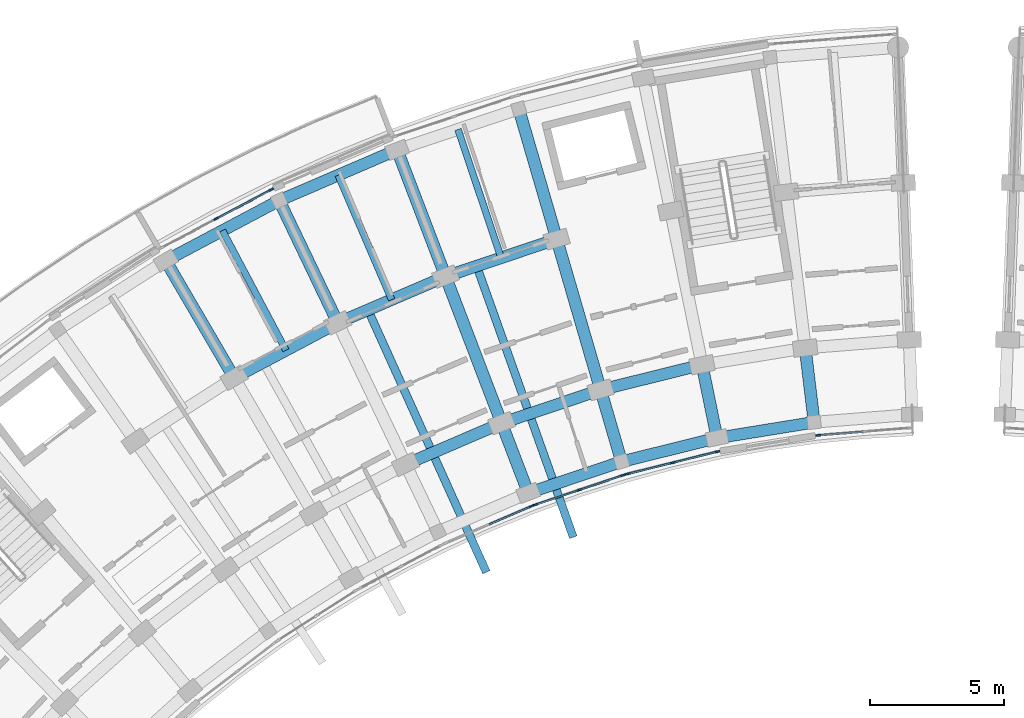
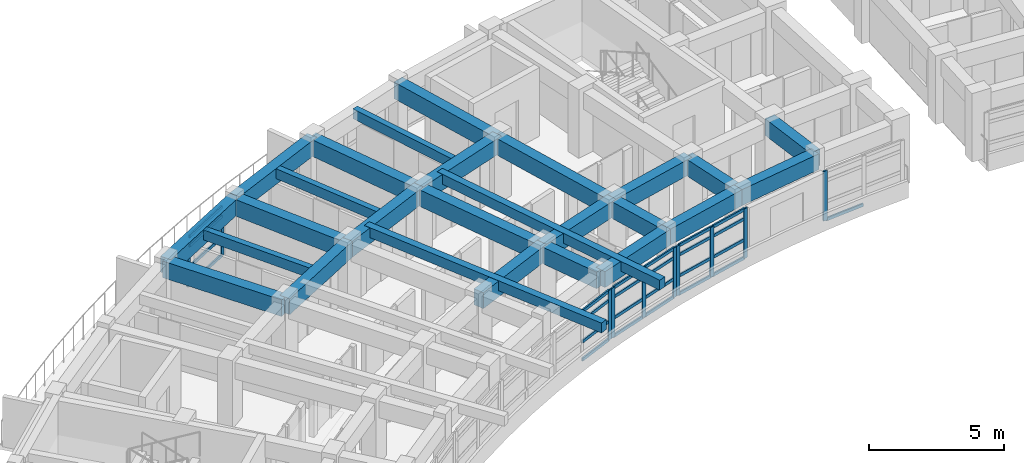
# One storey, part 16 of 70: 35 members, 26 beams, 5 elements without a shape of their own.
"""IFC4 building model written with IfcOpenShell, lengths in metres."""

from ifc_helpers import new_model, si_unit, direction, frame, origin, origin_2d, place, context, subcontext, project, spatial, rectangle, extrude, material, material_profile, profile_set, type_object, element, aggregate, save


model = new_model("IFC4")

# Units and contexts
model_context = context("Model", 3, precision=1e-05, world=origin(), true_north=direction((0.0, 1.0)))
body_context = subcontext(model_context, "Body", "Model", "MODEL_VIEW")
ifc_project = project(units=[si_unit("LENGTHUNIT", "METRE"), si_unit("AREAUNIT", "SQUARE_METRE"), si_unit("VOLUMEUNIT", "CUBIC_METRE"), si_unit("PLANEANGLEUNIT", "RADIAN"), si_unit("MASSUNIT", "GRAM", prefix="KILO")], contexts=[model_context])

# Site, building, storey
site_placement = place(None, origin())
site = spatial("IfcSite", under=ifc_project, at=site_placement, CompositionType="ELEMENT")
building_placement = place(site_placement, origin())
building = spatial("IfcBuilding", under=site, at=building_placement, Name="Zimvara Arc Housing Community", CompositionType="ELEMENT")
storey_placement = place(building_placement, frame((0.0, 0.0, 8.10009765625)))
storey = spatial("IfcBuildingStorey", under=building, at=storey_placement, Name="L02", CompositionType="ELEMENT", Elevation=8.10009765625)

# Beams
ifc_material_1 = material(Name="Concrete C40/50", Category="concrete")
ifc_material_profile_1 = material_profile(ifc_material_1, rectangle(XDim=0.25, YDim=0.449951171875, at=origin_2d()), Name="RC 250x450")
ifc_profile_set_1 = profile_set([ifc_material_profile_1], Name="Concrete C40/50")
beam_type_1 = type_object("IfcBeamType", Name="BM-RC-250x450", PredefinedType="JOIST", material=ifc_profile_set_1)
beam_1_placement = place(storey_placement, frame((19.813232421875, 91.9892578125, 2.65478515625), z_axis=(-0.46853732736, 0.883443701019, 0.0), x_axis=(-0.883443701019, -0.46853732736, 0.0)))
element("IfcBeam", 1, at=beam_1_placement, inside=storey, type_object=beam_type_1, Name="bm:blkA:L02:joist:b4", PredefinedType="JOIST", context=body_context, shape_type="SweptSolid", body=[
    extrude(rectangle(XDim=0.25, YDim=0.449951171875, at=origin_2d()), origin(), (0.0, 0.0, 1.0), 5.07568359375),
])
beam_2_placement = place(storey_placement, frame((23.77197265625, 93.885986328125, 2.65478515625), z_axis=(-0.394929109608, 0.918711596958, 0.0), x_axis=(-0.918711596958, -0.394929109608, 0.0)))
element("IfcBeam", 2, at=beam_2_placement, inside=storey, type_object=beam_type_1, Name="bm:blkA:L02:joist:b5", PredefinedType="JOIST", context=body_context, shape_type="SweptSolid", body=[
    extrude(rectangle(XDim=0.25, YDim=0.449951171875, at=origin_2d()), origin(), (0.0, 0.0, 1.0), 5.075927734375),
])
beam_3_placement = place(storey_placement, frame((27.8720703125, 95.453369140625, 2.65478515625), z_axis=(-0.318607669836, 0.947886677152, 0.0), x_axis=(-0.947886677152, -0.318607669836, 0.0)))
element("IfcBeam", 3, at=beam_3_placement, inside=storey, type_object=beam_type_1, Name="bm:blkA:L02:joist:b6", PredefinedType="JOIST", context=body_context, shape_type="SweptSolid", body=[
    extrude(rectangle(XDim=0.25, YDim=0.449951171875, at=origin_2d()), origin(), (0.0, 0.0, 1.0), 5.07568359375),
])
ifc_material_2 = material(Name="Concrete C40/50", Category="concrete")
ifc_material_profile_2 = material_profile(ifc_material_2, rectangle(XDim=0.300048828125, YDim=0.449951171875, at=origin_2d()), Name="RC 300x450")
ifc_profile_set_2 = profile_set([ifc_material_profile_2], Name="Concrete C40/50")
beam_type_2 = type_object("IfcBeamType", Name="BM-RC-300x450", PredefinedType="JOIST", material=ifc_profile_set_2)
beam_4_placement = place(storey_placement, frame((22.869384765625, 93.53759765625, 2.664794921875), z_axis=(0.411355165121, -0.911475138513, 0.0), x_axis=(0.911475138513, 0.411355165121, 0.0)))
element("IfcBeam", 4, at=beam_4_placement, inside=storey, type_object=beam_type_2, Name="bm:blkA:L02:cant_in:b5", PredefinedType="JOIST", context=body_context, shape_type="SweptSolid", body=[
    extrude(rectangle(XDim=0.300048828125, YDim=0.449951171875, at=origin_2d()), origin(), (0.0, 0.0, 1.0), 10.820068359375),
])
beam_5_placement = place(storey_placement, frame((26.9443359375, 95.1796875, 2.664794921875), z_axis=(0.335595863833, -0.942006059523, 0.0), x_axis=(0.942006059523, 0.335595863833, 0.0)))
element("IfcBeam", 5, at=beam_5_placement, inside=storey, type_object=beam_type_2, Name="bm:blkA:L02:cant_in:b6", PredefinedType="JOIST", context=body_context, shape_type="SweptSolid", body=[
    extrude(rectangle(XDim=0.300048828125, YDim=0.449951171875, at=origin_2d()), origin(), (0.0, 0.0, 1.0), 10.81982421875),
])
ifc_material_3 = material(Name="Concrete C40/50", Category="concrete")
ifc_material_profile_3 = material_profile(ifc_material_3, rectangle(XDim=0.43994140625, YDim=0.719970703125, at=origin_2d()), Name="RC 440x720")
ifc_profile_set_3 = profile_set([ifc_material_profile_3], Name="Concrete C40/50")
beam_type_3 = type_object("IfcBeamType", Name="BM-RC-440x720", PredefinedType="BEAM", material=ifc_profile_set_3)
beam_6_placement = place(storey_placement, frame((28.88916015625, 86.645751953125, 2.52001953125), z_axis=(0.94789181932, 0.31859237101, 0.0), x_axis=(-0.31859237101, 0.94789181932, 0.0)))
element("IfcBeam", 6, at=beam_6_placement, inside=storey, type_object=beam_type_3, Name="bm:blkA:L02:chord:r0:b6", PredefinedType="BEAM", context=body_context, shape_type="SweptSolid", body=[
    extrude(rectangle(XDim=0.43994140625, YDim=0.719970703125, at=origin_2d()), origin(), (0.0, 0.0, 1.0), 3.684326171875),
])
beam_7_placement = place(storey_placement, frame((32.381591796875, 87.819580078125, 2.52001953125), z_axis=(0.970708886215, 0.240258731837, 0.0), x_axis=(-0.240258731837, 0.970708886215, 0.0)))
element("IfcBeam", 7, at=beam_7_placement, inside=storey, type_object=beam_type_3, Name="bm:blkA:L02:chord:r0:b7", PredefinedType="BEAM", context=body_context, shape_type="SweptSolid", body=[
    extrude(rectangle(XDim=0.43994140625, YDim=0.719970703125, at=origin_2d()), origin(), (0.0, 0.0, 1.0), 3.6845703125),
])
beam_8_placement = place(storey_placement, frame((35.958251953125, 88.704833984375, 2.52001953125), z_axis=(0.987079996944, 0.160228211104, 0.0), x_axis=(-0.160228211104, 0.987079996944, 0.0)))
element("IfcBeam", 8, at=beam_8_placement, inside=storey, type_object=beam_type_3, Name="bm:blkA:L02:chord:r0:b8", PredefinedType="BEAM", context=body_context, shape_type="SweptSolid", body=[
    extrude(rectangle(XDim=0.43994140625, YDim=0.719970703125, at=origin_2d()), origin(), (0.0, 0.0, 1.0), 3.684326171875),
])
for number, where, z_axis, x_axis, name in (
    (9, (24.29443359375, 87.7158203125, 2.52001953125), (0.91873144242, 0.394882940514, 0.0), (-0.394882940514, 0.91873144242, 0.0), "bm:blkA:L02:chord:r1:b5"),
    (10, (27.889404296875, 89.260986328125, 2.52001953125), (0.947881689069, 0.31862250945, 0.0), (-0.31862250945, 0.947881689069, 0.0), "bm:blkA:L02:chord:r1:b6"),
    (11, (31.5986328125, 90.5078125, 2.52001953125), (0.970708671682, 0.240259598602, 0.0), (-0.240259598602, 0.970708671682, 0.0), "bm:blkA:L02:chord:r1:b7"),
):
    element("IfcBeam", number, at=place(storey_placement, frame(where, z_axis=z_axis, x_axis=x_axis)), inside=storey, type_object=beam_type_3, Name=name, PredefinedType="BEAM", context=body_context, shape_type="SweptSolid", body=[
        extrude(rectangle(XDim=0.43994140625, YDim=0.719970703125, at=origin_2d()), origin(), (0.0, 0.0, 1.0), 3.9130859375),
    ])
for number, where, z_axis, x_axis, name in (
    (12, (17.87255859375, 90.960205078125, 2.52001953125), (0.883456526058, 0.468513144496, 0.0), (-0.468513144496, 0.883456526058, 0.0), "bm:blkA:L02:chord:r2:b4"),
    (13, (21.75390625, 93.0185546875, 2.52001953125), (0.918724840088, 0.394898301093, 0.0), (-0.394898301093, 0.918724840088, 0.0), "bm:blkA:L02:chord:r2:b5"),
):
    element("IfcBeam", number, at=place(storey_placement, frame(where, z_axis=z_axis, x_axis=x_axis)), inside=storey, type_object=beam_type_3, Name=name, PredefinedType="BEAM", context=body_context, shape_type="SweptSolid", body=[
        extrude(rectangle(XDim=0.43994140625, YDim=0.719970703125, at=origin_2d()), origin(), (0.0, 0.0, 1.0), 4.393310546875),
    ])
beam_9_placement = place(storey_placement, frame((25.7900390625, 94.75341796875, 2.52001953125), z_axis=(0.947868796036, 0.318660862832, 0.0), x_axis=(-0.318660862832, 0.947868796036, 0.0)))
element("IfcBeam", 14, at=beam_9_placement, inside=storey, type_object=beam_type_3, Name="bm:blkA:L02:chord:r2:b6", PredefinedType="BEAM", context=body_context, shape_type="SweptSolid", body=[
    extrude(rectangle(XDim=0.43994140625, YDim=0.719970703125, at=origin_2d()), origin(), (0.0, 0.0, 1.0), 4.39306640625),
])
beam_10_placement = place(storey_placement, frame((15.311279296875, 95.34716796875, 2.52001953125), z_axis=(0.883445542299, 0.468533855546, 0.0), x_axis=(-0.468533855546, 0.883445542299, 0.0)))
element("IfcBeam", 15, at=beam_10_placement, inside=storey, type_object=beam_type_3, Name="bm:blkA:L02:chord:r3:b4", PredefinedType="BEAM", context=body_context, shape_type="SweptSolid", body=[
    extrude(rectangle(XDim=0.43994140625, YDim=0.719970703125, at=origin_2d()), origin(), (0.0, 0.0, 1.0), 4.807861328125),
])
beam_11_placement = place(storey_placement, frame((19.558837890625, 97.599853515625, 2.52001953125), z_axis=(0.918724276228, 0.394899612901, 0.0), x_axis=(-0.394899612901, 0.918724276228, 0.0)))
element("IfcBeam", 16, at=beam_11_placement, inside=storey, type_object=beam_type_3, Name="bm:blkA:L02:chord:r3:b5", PredefinedType="BEAM", context=body_context, shape_type="SweptSolid", body=[
    extrude(rectangle(XDim=0.43994140625, YDim=0.719970703125, at=origin_2d()), origin(), (0.0, 0.0, 1.0), 4.80810546875),
])
ifc_material_4 = material(Name="Concrete C40/50", Category="concrete")
ifc_material_profile_4 = material_profile(ifc_material_4, rectangle(XDim=0.449951171875, YDim=0.75, at=origin_2d()), Name="RC 450x750")
ifc_profile_set_4 = profile_set([ifc_material_profile_4], Name="Concrete C40/50")
beam_type_4 = type_object("IfcBeamType", Name="BM-RC-450x750", PredefinedType="BEAM", material=ifc_profile_set_4)
beam_12_placement = place(storey_placement, frame((17.87255859375, 90.960205078125, 2.5048828125), z_axis=(-0.504196701544, 0.863588840915, 0.0), x_axis=(-0.863588840915, -0.504196701544, 0.0)))
element("IfcBeam", 17, at=beam_12_placement, inside=storey, type_object=beam_type_4, Name="bm:blkA:L02:rad:b4:r23", PredefinedType="BEAM", context=body_context, shape_type="SweptSolid", body=[
    extrude(rectangle(XDim=0.449951171875, YDim=0.75, at=origin_2d()), origin(), (0.0, 0.0, 1.0), 5.079833984375),
])
beam_13_placement = place(storey_placement, frame((21.75390625, 93.0185546875, 2.5048828125), z_axis=(-0.432098194978, 0.901826563091, 0.0), x_axis=(-0.901826563091, -0.432098194978, 0.0)))
element("IfcBeam", 18, at=beam_13_placement, inside=storey, type_object=beam_type_4, Name="bm:blkA:L02:rad:b5:r23", PredefinedType="BEAM", context=body_context, shape_type="SweptSolid", body=[
    extrude(rectangle(XDim=0.449951171875, YDim=0.75, at=origin_2d()), origin(), (0.0, 0.0, 1.0), 5.080078125),
])
beam_14_placement = place(storey_placement, frame((28.88916015625, 86.645751953125, 2.5048828125), z_axis=(-0.357079289134, 0.934074076972, 0.0), x_axis=(-0.934074076972, -0.357079289134, 0.0)))
element("IfcBeam", 19, at=beam_14_placement, inside=storey, type_object=beam_type_4, Name="bm:blkA:L02:rad:b6:r01", PredefinedType="BEAM", context=body_context, shape_type="SweptSolid", body=[
    extrude(rectangle(XDim=0.449951171875, YDim=0.75, at=origin_2d()), origin(), (0.0, 0.0, 1.0), 2.7998046875),
])
beam_15_placement = place(storey_placement, frame((27.889404296875, 89.260986328125, 2.5048828125), z_axis=(-0.357036247742, 0.934090529766, 0.0), x_axis=(-0.934090529766, -0.357036247742, 0.0)))
element("IfcBeam", 20, at=beam_15_placement, inside=storey, type_object=beam_type_4, Name="bm:blkA:L02:rad:b6:r12", PredefinedType="BEAM", context=body_context, shape_type="SweptSolid", body=[
    extrude(rectangle(XDim=0.449951171875, YDim=0.75, at=origin_2d()), origin(), (0.0, 0.0, 1.0), 5.8798828125),
])
beam_16_placement = place(storey_placement, frame((25.7900390625, 94.75341796875, 2.5048828125), z_axis=(-0.357078271386, 0.934074466038, 0.0), x_axis=(-0.934074466038, -0.357078271386, 0.0)))
element("IfcBeam", 21, at=beam_16_placement, inside=storey, type_object=beam_type_4, Name="bm:blkA:L02:rad:b6:r23", PredefinedType="BEAM", context=body_context, shape_type="SweptSolid", body=[
    extrude(rectangle(XDim=0.449951171875, YDim=0.75, at=origin_2d()), origin(), (0.0, 0.0, 1.0), 5.080078125),
])
beam_17_placement = place(storey_placement, frame((32.381591796875, 87.819580078125, 2.5048828125), z_axis=(-0.279635015525, 0.960106378529, 0.0), x_axis=(-0.960106378529, -0.279635015525, 0.0)))
element("IfcBeam", 22, at=beam_17_placement, inside=storey, type_object=beam_type_4, Name="bm:blkA:L02:rad:b7:r01", PredefinedType="BEAM", context=body_context, shape_type="SweptSolid", body=[
    extrude(rectangle(XDim=0.449951171875, YDim=0.75, at=origin_2d()), origin(), (0.0, 0.0, 1.0), 2.800048828125),
])
beam_18_placement = place(storey_placement, frame((31.5986328125, 90.5078125, 2.5048828125), z_axis=(-0.27967473749, 0.960094808449, 0.0), x_axis=(-0.960094808449, -0.27967473749, 0.0)))
element("IfcBeam", 23, at=beam_18_placement, inside=storey, type_object=beam_type_4, Name="bm:blkA:L02:rad:b7:r12", PredefinedType="BEAM", context=body_context, shape_type="SweptSolid", body=[
    extrude(rectangle(XDim=0.449951171875, YDim=0.75, at=origin_2d()), origin(), (0.0, 0.0, 1.0), 5.880126953125),
])
beam_19_placement = place(storey_placement, frame((29.9541015625, 96.1533203125, 2.5048828125), z_axis=(-0.279662254096, 0.960098444762, 0.0), x_axis=(-0.960098444762, -0.279662254096, 0.0)))
element("IfcBeam", 24, at=beam_19_placement, inside=storey, type_object=beam_type_4, Name="bm:blkA:L02:rad:b7:r23", PredefinedType="BEAM", context=body_context, shape_type="SweptSolid", body=[
    extrude(rectangle(XDim=0.449951171875, YDim=0.75, at=origin_2d()), origin(), (0.0, 0.0, 1.0), 5.079833984375),
])
beam_20_placement = place(storey_placement, frame((35.958251953125, 88.704833984375, 2.5048828125), z_axis=(-0.20037341071, 0.979719600845, 0.0), x_axis=(-0.979719600845, -0.20037341071, 0.0)))
element("IfcBeam", 25, at=beam_20_placement, inside=storey, type_object=beam_type_4, Name="bm:blkA:L02:rad:b8:r01", PredefinedType="BEAM", context=body_context, shape_type="SweptSolid", body=[
    extrude(rectangle(XDim=0.449951171875, YDim=0.75, at=origin_2d()), origin(), (0.0, 0.0, 1.0), 2.800048828125),
])
beam_21_placement = place(storey_placement, frame((39.594970703125, 89.295166015625, 2.5048828125), z_axis=(-0.119719398078, 0.992807768767, 0.0), x_axis=(-0.992807768767, -0.119719398078, 0.0)))
element("IfcBeam", 26, at=beam_21_placement, inside=storey, type_object=beam_type_4, Name="bm:blkA:L02:rad:b9:r01", PredefinedType="BEAM", context=body_context, shape_type="SweptSolid", body=[
    extrude(rectangle(XDim=0.449951171875, YDim=0.75, at=origin_2d()), origin(), (0.0, 0.0, 1.0), 2.7998046875),
])

# Curtain wall, members
ifc_material_5 = material(Name="Anodised Aluminium AW-6063", Category="aluminium")
curtain_wall_type_1 = type_object("IfcCurtainWallType", Name="CW-SYS-06", PredefinedType="USERDEFINED", material=ifc_material_5)
curtain_wall_1_placement = place(storey_placement, origin())
curtain_wall_1 = element("IfcCurtainWall", 27, at=curtain_wall_1_placement, inside=storey, type_object=curtain_wall_type_1, Name="cw:blkA:L02:out:b4", ObjectType="CURTAIN WALL", PredefinedType="USERDEFINED")
ifc_material_6 = material(Name="Anodised Aluminium AW-6063", Category="aluminium")
ifc_material_profile_5 = material_profile(ifc_material_6, rectangle(XDim=0.06494140625, YDim=0.179931640625, at=origin_2d()), Name="ALU 65x180")
ifc_profile_set_5 = profile_set([ifc_material_profile_5], Name="Anodised Aluminium AW-6063")
member_type_1 = type_object("IfcMemberType", Name="CWM-65x150", PredefinedType="MULLION", material=ifc_profile_set_5)
member_1_placement = place(storey_placement, frame((17.200927734375, 96.914794921875, 0.0), z_axis=(0.0, 0.0, 1.0), x_axis=(-0.468546917761, 0.883438614651, 0.0)))
member_1 = element("IfcMember", 28, at=member_1_placement, type_object=member_type_1, Name="CW06 mullion 2", PredefinedType="MULLION", context=body_context, shape_type="SweptSolid", body=[
    extrude(rectangle(XDim=0.06494140625, YDim=0.179931640625, at=origin_2d()), origin(), (0.0, 0.0, 1.0), 2.25),
])
member_2_placement = place(storey_placement, frame((19.260986328125, 98.007568359375, 0.0), z_axis=(0.0, 0.0, 1.0), x_axis=(-0.468546917761, 0.883438614651, 0.0)))
member_2 = element("IfcMember", 29, at=member_2_placement, type_object=member_type_1, Name="CW06 mullion 3", PredefinedType="MULLION", context=body_context, shape_type="SweptSolid", body=[
    extrude(rectangle(XDim=0.06494140625, YDim=0.179931640625, at=origin_2d()), origin(), (0.0, 0.0, 1.0), 2.25),
])

# Curtain wall, member
ifc_material_7 = material(Name="Anodised Aluminium AW-6063", Category="aluminium")
curtain_wall_type_2 = type_object("IfcCurtainWallType", Name="CW-SYS-08", PredefinedType="USERDEFINED", material=ifc_material_7)
curtain_wall_2_placement = place(storey_placement, origin())
curtain_wall_2 = element("IfcCurtainWall", 30, at=curtain_wall_2_placement, inside=storey, type_object=curtain_wall_type_2, Name="cw:blkA:L02:in:b5", ObjectType="CURTAIN WALL", PredefinedType="USERDEFINED")
member_3_placement = place(storey_placement, frame((28.98291015625, 86.14208984375, 0.0), z_axis=(0.0, 0.0, 1.0), x_axis=(-0.394904493375, 0.918722178415, 0.0)))
member_3 = element("IfcMember", 31, at=member_3_placement, type_object=member_type_1, Name="CW08 mullion 3", PredefinedType="MULLION", context=body_context, shape_type="SweptSolid", body=[
    extrude(rectangle(XDim=0.06494140625, YDim=0.179931640625, at=origin_2d()), origin(), (0.0, 0.0, 1.0), 2.25),
])

# Curtain wall, members
ifc_material_8 = material(Name="Anodised Aluminium AW-6063", Category="aluminium")
curtain_wall_type_3 = type_object("IfcCurtainWallType", Name="CW-SYS-02", PredefinedType="USERDEFINED", material=ifc_material_8)
curtain_wall_3_placement = place(storey_placement, origin())
curtain_wall_3 = element("IfcCurtainWall", 32, at=curtain_wall_3_placement, inside=storey, type_object=curtain_wall_type_3, Name="cw:blkA:L02:in:b6", ObjectType="CURTAIN WALL", PredefinedType="USERDEFINED")
member_4_placement = place(storey_placement, frame((29.155517578125, 86.2080078125, 0.0), z_axis=(0.0, 0.0, 1.0), x_axis=(-0.318630249383, 0.94787908732, 0.0)))
member_4 = element("IfcMember", 33, at=member_4_placement, type_object=member_type_1, Name="CW02 mullion 1", PredefinedType="MULLION", context=body_context, shape_type="SweptSolid", body=[
    extrude(rectangle(XDim=0.06494140625, YDim=0.179931640625, at=origin_2d()), origin(), (0.0, 0.0, 1.0), 2.25),
])
member_5_placement = place(storey_placement, frame((30.794677734375, 86.759033203125, 0.0), z_axis=(0.0, 0.0, 1.0), x_axis=(-0.318630249383, 0.94787908732, 0.0)))
member_5 = element("IfcMember", 34, at=member_5_placement, type_object=member_type_1, Name="CW02 mullion 2", PredefinedType="MULLION", context=body_context, shape_type="SweptSolid", body=[
    extrude(rectangle(XDim=0.06494140625, YDim=0.179931640625, at=origin_2d()), origin(), (0.0, 0.0, 1.0), 2.25),
])
member_6_placement = place(storey_placement, frame((32.433837890625, 87.31005859375, 0.0), z_axis=(0.0, 0.0, 1.0), x_axis=(-0.318630249383, 0.94787908732, 0.0)))
member_6 = element("IfcMember", 35, at=member_6_placement, type_object=member_type_1, Name="CW02 mullion 3", PredefinedType="MULLION", context=body_context, shape_type="SweptSolid", body=[
    extrude(rectangle(XDim=0.06494140625, YDim=0.179931640625, at=origin_2d()), origin(), (0.0, 0.0, 1.0), 2.25),
])

ifc_material_9 = material(Name="Anodised Aluminium AW-6063", Category="aluminium")
curtain_wall_type_4 = type_object("IfcCurtainWallType", Name="CW-SYS-04", PredefinedType="USERDEFINED", material=ifc_material_9)
curtain_wall_4_placement = place(storey_placement, origin())
curtain_wall_4 = element("IfcCurtainWall", 36, at=curtain_wall_4_placement, inside=storey, type_object=curtain_wall_type_4, Name="cw:blkA:L02:in:b7", ObjectType="CURTAIN WALL", PredefinedType="USERDEFINED")
member_7_placement = place(storey_placement, frame((32.611328125, 87.36181640625, 0.0), z_axis=(0.0, 0.0, 1.0), x_axis=(-0.240227815706, 0.970716537698, 0.0)))
member_7 = element("IfcMember", 37, at=member_7_placement, type_object=member_type_1, Name="CW04 mullion 1", PredefinedType="MULLION", context=body_context, shape_type="SweptSolid", body=[
    extrude(rectangle(XDim=0.06494140625, YDim=0.179931640625, at=origin_2d()), origin(), (0.0, 0.0, 1.0), 2.25),
])
member_8_placement = place(storey_placement, frame((34.2900390625, 87.77734375, 0.0), z_axis=(0.0, 0.0, 1.0), x_axis=(-0.240227815706, 0.970716537698, 0.0)))
member_8 = element("IfcMember", 38, at=member_8_placement, type_object=member_type_1, Name="CW04 mullion 2", PredefinedType="MULLION", context=body_context, shape_type="SweptSolid", body=[
    extrude(rectangle(XDim=0.06494140625, YDim=0.179931640625, at=origin_2d()), origin(), (0.0, 0.0, 1.0), 2.25),
])
member_9_placement = place(storey_placement, frame((35.96875, 88.192626953125, 0.0), z_axis=(0.0, 0.0, 1.0), x_axis=(-0.240227815706, 0.970716537698, 0.0)))
member_9 = element("IfcMember", 39, at=member_9_placement, type_object=member_type_1, Name="CW04 mullion 3", PredefinedType="MULLION", context=body_context, shape_type="SweptSolid", body=[
    extrude(rectangle(XDim=0.06494140625, YDim=0.179931640625, at=origin_2d()), origin(), (0.0, 0.0, 1.0), 2.25),
])

# Curtain wall, member
curtain_wall_5_placement = place(storey_placement, origin())
curtain_wall_5 = element("IfcCurtainWall", 40, at=curtain_wall_5_placement, inside=storey, type_object=curtain_wall_type_1, Name="cw:blkA:L02:in:b9", ObjectType="CURTAIN WALL", PredefinedType="USERDEFINED")
member_10_placement = place(storey_placement, frame((39.7470703125, 88.805908203125, 0.0), z_axis=(0.0, 0.0, 1.0), x_axis=(-0.079154709897, 0.996862343506, 0.0)))
member_10 = element("IfcMember", 41, at=member_10_placement, type_object=member_type_1, Name="CW06 mullion 1", PredefinedType="MULLION", context=body_context, shape_type="SweptSolid", body=[
    extrude(rectangle(XDim=0.06494140625, YDim=0.179931640625, at=origin_2d()), origin(), (0.0, 0.0, 1.0), 2.25),
])

# Member
ifc_material_10 = material(Name="Anodised Aluminium AW-6063", Category="aluminium")
ifc_material_profile_6 = material_profile(ifc_material_10, rectangle(XDim=0.06494140625, YDim=0.139892578125, at=origin_2d()), Name="ALU 65x140")
ifc_profile_set_6 = profile_set([ifc_material_profile_6], Name="Anodised Aluminium AW-6063")
member_type_2 = type_object("IfcMemberType", Name="CWT-65x120", PredefinedType="USERDEFINED", material=ifc_profile_set_6)
member_11_placement = place(storey_placement, frame((17.2294921875, 96.93017578125, 0.032470703125), z_axis=(0.883489114766, 0.468451688107, 0.0), x_axis=(-0.468451688107, 0.883489114766, 0.0)))
member_11 = element("IfcMember", 42, at=member_11_placement, type_object=member_type_2, Name="CW06 transom 2.1", ObjectType="TRANSOM", PredefinedType="USERDEFINED", context=body_context, shape_type="SweptSolid", body=[
    extrude(rectangle(XDim=0.06494140625, YDim=0.139892578125, at=origin_2d()), origin(), (0.0, 0.0, 1.0), 2.26708984375),
])

member_12_placement = place(storey_placement, frame((17.2294921875, 96.93017578125, 0.849853515625), z_axis=(0.883489114766, 0.468451688107, 0.0), x_axis=(-0.468451688107, 0.883489114766, 0.0)))
member_12 = element("IfcMember", 43, at=member_12_placement, type_object=member_type_2, Name="CW06 transom 2.2", ObjectType="TRANSOM", PredefinedType="USERDEFINED", context=body_context, shape_type="SweptSolid", body=[
    extrude(rectangle(XDim=0.06494140625, YDim=0.139892578125, at=origin_2d()), origin(), (0.0, 0.0, 1.0), 2.26708984375),
])

member_13_placement = place(storey_placement, frame((17.2294921875, 96.93017578125, 1.7998046875), z_axis=(0.883489114766, 0.468451688107, 0.0), x_axis=(-0.468451688107, 0.883489114766, 0.0)))
member_13 = element("IfcMember", 44, at=member_13_placement, type_object=member_type_2, Name="CW06 transom 2.3", ObjectType="TRANSOM", PredefinedType="USERDEFINED", context=body_context, shape_type="SweptSolid", body=[
    extrude(rectangle(XDim=0.06494140625, YDim=0.139892578125, at=origin_2d()), origin(), (0.0, 0.0, 1.0), 2.26708984375),
])

member_14_placement = place(storey_placement, frame((17.2294921875, 96.93017578125, 2.21728515625), z_axis=(0.883489114766, 0.468451688107, 0.0), x_axis=(-0.468451688107, 0.883489114766, 0.0)))
member_14 = element("IfcMember", 45, at=member_14_placement, type_object=member_type_2, Name="CW06 transom 2.4", ObjectType="TRANSOM", PredefinedType="USERDEFINED", context=body_context, shape_type="SweptSolid", body=[
    extrude(rectangle(XDim=0.06494140625, YDim=0.139892578125, at=origin_2d()), origin(), (0.0, 0.0, 1.0), 2.26708984375),
])

aggregate(curtain_wall_1, [member_1, member_2, member_11, member_12, member_13, member_14])

member_15_placement = place(storey_placement, frame((27.423828125, 85.471923828125, 0.032470703125), z_axis=(0.918673978315, 0.395016609229, 0.0), x_axis=(-0.395016609229, 0.918673978315, 0.0)))
member_15 = element("IfcMember", 46, at=member_15_placement, type_object=member_type_2, Name="CW08 transom 2.1", ObjectType="TRANSOM", PredefinedType="USERDEFINED", context=body_context, shape_type="SweptSolid", body=[
    extrude(rectangle(XDim=0.06494140625, YDim=0.139892578125, at=origin_2d()), origin(), (0.0, 0.0, 1.0), 1.664306640625),
])

member_16_placement = place(storey_placement, frame((27.423828125, 85.471923828125, 0.849853515625), z_axis=(0.918673978315, 0.395016609229, 0.0), x_axis=(-0.395016609229, 0.918673978315, 0.0)))
member_16 = element("IfcMember", 47, at=member_16_placement, type_object=member_type_2, Name="CW08 transom 2.2", ObjectType="TRANSOM", PredefinedType="USERDEFINED", context=body_context, shape_type="SweptSolid", body=[
    extrude(rectangle(XDim=0.06494140625, YDim=0.139892578125, at=origin_2d()), origin(), (0.0, 0.0, 1.0), 1.664306640625),
])

member_17_placement = place(storey_placement, frame((27.423828125, 85.471923828125, 1.7998046875), z_axis=(0.918673978315, 0.395016609229, 0.0), x_axis=(-0.395016609229, 0.918673978315, 0.0)))
member_17 = element("IfcMember", 48, at=member_17_placement, type_object=member_type_2, Name="CW08 transom 2.3", ObjectType="TRANSOM", PredefinedType="USERDEFINED", context=body_context, shape_type="SweptSolid", body=[
    extrude(rectangle(XDim=0.06494140625, YDim=0.139892578125, at=origin_2d()), origin(), (0.0, 0.0, 1.0), 1.664306640625),
])

member_18_placement = place(storey_placement, frame((27.423828125, 85.471923828125, 2.21728515625), z_axis=(0.918673978315, 0.395016609229, 0.0), x_axis=(-0.395016609229, 0.918673978315, 0.0)))
member_18 = element("IfcMember", 49, at=member_18_placement, type_object=member_type_2, Name="CW08 transom 2.4", ObjectType="TRANSOM", PredefinedType="USERDEFINED", context=body_context, shape_type="SweptSolid", body=[
    extrude(rectangle(XDim=0.06494140625, YDim=0.139892578125, at=origin_2d()), origin(), (0.0, 0.0, 1.0), 1.664306640625),
])

aggregate(curtain_wall_2, [member_3, member_15, member_16, member_17, member_18])

member_19_placement = place(storey_placement, frame((29.186279296875, 86.218505859375, 0.032470703125), z_axis=(0.947888214723, 0.318603095385, 0.0), x_axis=(-0.318603095385, 0.947888214723, 0.0)))
member_19 = element("IfcMember", 50, at=member_19_placement, type_object=member_type_2, Name="CW02 transom 1.1", ObjectType="TRANSOM", PredefinedType="USERDEFINED", context=body_context, shape_type="SweptSolid", body=[
    extrude(rectangle(XDim=0.06494140625, YDim=0.139892578125, at=origin_2d()), origin(), (0.0, 0.0, 1.0), 1.664306640625),
])

member_20_placement = place(storey_placement, frame((29.186279296875, 86.218505859375, 0.849853515625), z_axis=(0.947888214723, 0.318603095385, 0.0), x_axis=(-0.318603095385, 0.947888214723, 0.0)))
member_20 = element("IfcMember", 51, at=member_20_placement, type_object=member_type_2, Name="CW02 transom 1.2", ObjectType="TRANSOM", PredefinedType="USERDEFINED", context=body_context, shape_type="SweptSolid", body=[
    extrude(rectangle(XDim=0.06494140625, YDim=0.139892578125, at=origin_2d()), origin(), (0.0, 0.0, 1.0), 1.664306640625),
])

member_21_placement = place(storey_placement, frame((29.186279296875, 86.218505859375, 1.7998046875), z_axis=(0.947888214723, 0.318603095385, 0.0), x_axis=(-0.318603095385, 0.947888214723, 0.0)))
member_21 = element("IfcMember", 52, at=member_21_placement, type_object=member_type_2, Name="CW02 transom 1.3", ObjectType="TRANSOM", PredefinedType="USERDEFINED", context=body_context, shape_type="SweptSolid", body=[
    extrude(rectangle(XDim=0.06494140625, YDim=0.139892578125, at=origin_2d()), origin(), (0.0, 0.0, 1.0), 1.664306640625),
])

member_22_placement = place(storey_placement, frame((29.186279296875, 86.218505859375, 2.21728515625), z_axis=(0.947888214723, 0.318603095385, 0.0), x_axis=(-0.318603095385, 0.947888214723, 0.0)))
member_22 = element("IfcMember", 53, at=member_22_placement, type_object=member_type_2, Name="CW02 transom 1.4", ObjectType="TRANSOM", PredefinedType="USERDEFINED", context=body_context, shape_type="SweptSolid", body=[
    extrude(rectangle(XDim=0.06494140625, YDim=0.139892578125, at=origin_2d()), origin(), (0.0, 0.0, 1.0), 1.664306640625),
])

member_23_placement = place(storey_placement, frame((30.825439453125, 86.76953125, 0.032470703125), z_axis=(0.947888214723, 0.318603095385, 0.0), x_axis=(-0.318603095385, 0.947888214723, 0.0)))
member_23 = element("IfcMember", 54, at=member_23_placement, type_object=member_type_2, Name="CW02 transom 2.1", ObjectType="TRANSOM", PredefinedType="USERDEFINED", context=body_context, shape_type="SweptSolid", body=[
    extrude(rectangle(XDim=0.06494140625, YDim=0.139892578125, at=origin_2d()), origin(), (0.0, 0.0, 1.0), 1.664306640625),
])

member_24_placement = place(storey_placement, frame((30.825439453125, 86.76953125, 0.849853515625), z_axis=(0.947888214723, 0.318603095385, 0.0), x_axis=(-0.318603095385, 0.947888214723, 0.0)))
member_24 = element("IfcMember", 55, at=member_24_placement, type_object=member_type_2, Name="CW02 transom 2.2", ObjectType="TRANSOM", PredefinedType="USERDEFINED", context=body_context, shape_type="SweptSolid", body=[
    extrude(rectangle(XDim=0.06494140625, YDim=0.139892578125, at=origin_2d()), origin(), (0.0, 0.0, 1.0), 1.664306640625),
])

member_25_placement = place(storey_placement, frame((30.825439453125, 86.76953125, 1.7998046875), z_axis=(0.947888214723, 0.318603095385, 0.0), x_axis=(-0.318603095385, 0.947888214723, 0.0)))
member_25 = element("IfcMember", 56, at=member_25_placement, type_object=member_type_2, Name="CW02 transom 2.3", ObjectType="TRANSOM", PredefinedType="USERDEFINED", context=body_context, shape_type="SweptSolid", body=[
    extrude(rectangle(XDim=0.06494140625, YDim=0.139892578125, at=origin_2d()), origin(), (0.0, 0.0, 1.0), 1.664306640625),
])

member_26_placement = place(storey_placement, frame((30.825439453125, 86.76953125, 2.21728515625), z_axis=(0.947888214723, 0.318603095385, 0.0), x_axis=(-0.318603095385, 0.947888214723, 0.0)))
member_26 = element("IfcMember", 57, at=member_26_placement, type_object=member_type_2, Name="CW02 transom 2.4", ObjectType="TRANSOM", PredefinedType="USERDEFINED", context=body_context, shape_type="SweptSolid", body=[
    extrude(rectangle(XDim=0.06494140625, YDim=0.139892578125, at=origin_2d()), origin(), (0.0, 0.0, 1.0), 1.664306640625),
])

aggregate(curtain_wall_3, [member_4, member_5, member_6, member_19, member_20, member_21, member_22, member_23, member_24, member_25, member_26])

member_27_placement = place(storey_placement, frame((32.642822265625, 87.36962890625, 0.032470703125), z_axis=(0.970700809973, 0.24029135964, 0.0), x_axis=(-0.24029135964, 0.970700809973, 0.0)))
member_27 = element("IfcMember", 58, at=member_27_placement, type_object=member_type_2, Name="CW04 transom 1.1", ObjectType="TRANSOM", PredefinedType="USERDEFINED", context=body_context, shape_type="SweptSolid", body=[
    extrude(rectangle(XDim=0.06494140625, YDim=0.139892578125, at=origin_2d()), origin(), (0.0, 0.0, 1.0), 1.664306640625),
])

member_28_placement = place(storey_placement, frame((32.642822265625, 87.36962890625, 0.849853515625), z_axis=(0.970700809973, 0.24029135964, 0.0), x_axis=(-0.24029135964, 0.970700809973, 0.0)))
member_28 = element("IfcMember", 59, at=member_28_placement, type_object=member_type_2, Name="CW04 transom 1.2", ObjectType="TRANSOM", PredefinedType="USERDEFINED", context=body_context, shape_type="SweptSolid", body=[
    extrude(rectangle(XDim=0.06494140625, YDim=0.139892578125, at=origin_2d()), origin(), (0.0, 0.0, 1.0), 1.664306640625),
])

member_29_placement = place(storey_placement, frame((32.642822265625, 87.36962890625, 1.7998046875), z_axis=(0.970700809973, 0.24029135964, 0.0), x_axis=(-0.24029135964, 0.970700809973, 0.0)))
member_29 = element("IfcMember", 60, at=member_29_placement, type_object=member_type_2, Name="CW04 transom 1.3", ObjectType="TRANSOM", PredefinedType="USERDEFINED", context=body_context, shape_type="SweptSolid", body=[
    extrude(rectangle(XDim=0.06494140625, YDim=0.139892578125, at=origin_2d()), origin(), (0.0, 0.0, 1.0), 1.664306640625),
])

member_30_placement = place(storey_placement, frame((32.642822265625, 87.36962890625, 2.21728515625), z_axis=(0.970700809973, 0.24029135964, 0.0), x_axis=(-0.24029135964, 0.970700809973, 0.0)))
member_30 = element("IfcMember", 61, at=member_30_placement, type_object=member_type_2, Name="CW04 transom 1.4", ObjectType="TRANSOM", PredefinedType="USERDEFINED", context=body_context, shape_type="SweptSolid", body=[
    extrude(rectangle(XDim=0.06494140625, YDim=0.139892578125, at=origin_2d()), origin(), (0.0, 0.0, 1.0), 1.664306640625),
])

member_31_placement = place(storey_placement, frame((34.321533203125, 87.78515625, 0.032470703125), z_axis=(0.970735018799, 0.240153124645, 0.0), x_axis=(-0.240153124645, 0.970735018799, 0.0)))
member_31 = element("IfcMember", 62, at=member_31_placement, type_object=member_type_2, Name="CW04 transom 2.1", ObjectType="TRANSOM", PredefinedType="USERDEFINED", context=body_context, shape_type="SweptSolid", body=[
    extrude(rectangle(XDim=0.06494140625, YDim=0.139892578125, at=origin_2d()), origin(), (0.0, 0.0, 1.0), 1.6640625),
])

member_32_placement = place(storey_placement, frame((34.321533203125, 87.78515625, 0.849853515625), z_axis=(0.970735018799, 0.240153124645, 0.0), x_axis=(-0.240153124645, 0.970735018799, 0.0)))
member_32 = element("IfcMember", 63, at=member_32_placement, type_object=member_type_2, Name="CW04 transom 2.2", ObjectType="TRANSOM", PredefinedType="USERDEFINED", context=body_context, shape_type="SweptSolid", body=[
    extrude(rectangle(XDim=0.06494140625, YDim=0.139892578125, at=origin_2d()), origin(), (0.0, 0.0, 1.0), 1.6640625),
])

member_33_placement = place(storey_placement, frame((34.321533203125, 87.78515625, 1.7998046875), z_axis=(0.970735018799, 0.240153124645, 0.0), x_axis=(-0.240153124645, 0.970735018799, 0.0)))
member_33 = element("IfcMember", 64, at=member_33_placement, type_object=member_type_2, Name="CW04 transom 2.3", ObjectType="TRANSOM", PredefinedType="USERDEFINED", context=body_context, shape_type="SweptSolid", body=[
    extrude(rectangle(XDim=0.06494140625, YDim=0.139892578125, at=origin_2d()), origin(), (0.0, 0.0, 1.0), 1.6640625),
])

member_34_placement = place(storey_placement, frame((34.321533203125, 87.78515625, 2.21728515625), z_axis=(0.970735018799, 0.240153124645, 0.0), x_axis=(-0.240153124645, 0.970735018799, 0.0)))
member_34 = element("IfcMember", 65, at=member_34_placement, type_object=member_type_2, Name="CW04 transom 2.4", ObjectType="TRANSOM", PredefinedType="USERDEFINED", context=body_context, shape_type="SweptSolid", body=[
    extrude(rectangle(XDim=0.06494140625, YDim=0.139892578125, at=origin_2d()), origin(), (0.0, 0.0, 1.0), 1.6640625),
])

aggregate(curtain_wall_4, [member_7, member_8, member_9, member_27, member_28, member_29, member_30, member_31, member_32, member_33, member_34])

member_35_placement = place(storey_placement, frame((39.779541015625, 88.80859375, 0.032470703125), z_axis=(0.99685804311, 0.079208849806, 0.0), x_axis=(-0.079208849806, 0.99685804311, 0.0)))
member_35 = element("IfcMember", 66, at=member_35_placement, type_object=member_type_2, Name="CW06 transom 1.1", ObjectType="TRANSOM", PredefinedType="USERDEFINED", context=body_context, shape_type="SweptSolid", body=[
    extrude(rectangle(XDim=0.06494140625, YDim=0.139892578125, at=origin_2d()), origin(), (0.0, 0.0, 1.0), 1.664306640625),
])

aggregate(curtain_wall_5, [member_10, member_35])

save(model, "model.ifc")
